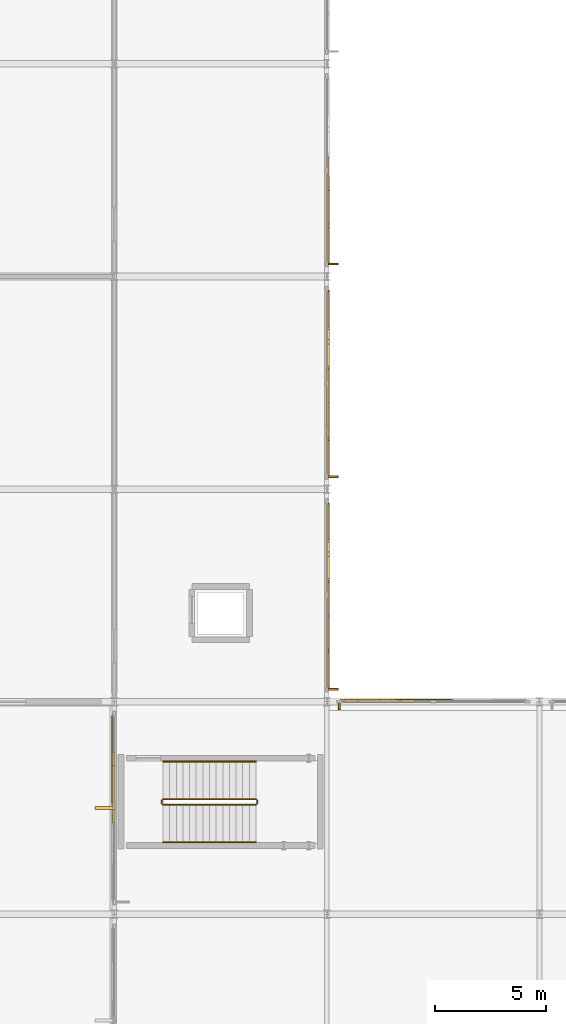
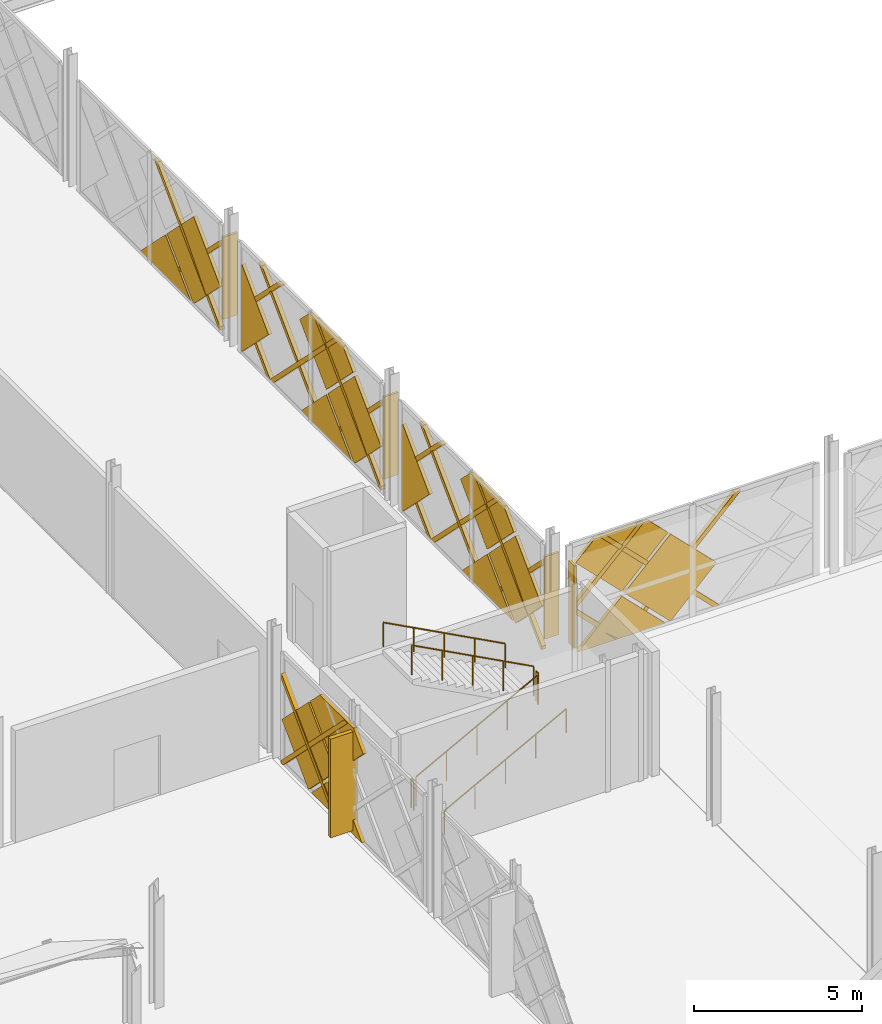
# One storey, part 57 of 77: 37 coverings, 6 railings, 4 shading devices.
"""IFC4 building model written with IfcOpenShell, lengths in metres."""

from ifc_helpers import new_model, si_unit, direction, frame, origin, origin_2d, place, context, subcontext, project, spatial, polyline, rectangle, circle, outline, extrude, material, layer, layer_set, type_object, element, save


model = new_model("IFC4")

# Units and contexts
model_context = context("Model", 3, precision=1e-05, world=origin(), true_north=direction((0.0, 1.0)))
body_context = subcontext(model_context, "Body", "Model", "MODEL_VIEW")
ifc_project = project(units=[si_unit("LENGTHUNIT", "METRE"), si_unit("AREAUNIT", "SQUARE_METRE"), si_unit("VOLUMEUNIT", "CUBIC_METRE"), si_unit("PLANEANGLEUNIT", "RADIAN"), si_unit("MASSUNIT", "GRAM", prefix="KILO")], contexts=[model_context])

# Site, building, storey
site_placement = place(None, origin())
site = spatial("IfcSite", under=ifc_project, at=site_placement, CompositionType="ELEMENT")
building_placement = place(site_placement, origin())
building = spatial("IfcBuilding", under=site, at=building_placement, Name="Zevrakil Square Congress Hotel", CompositionType="ELEMENT")
storey_placement = place(building_placement, frame((0.0, 0.0, 9.89990234375)))
storey = spatial("IfcBuildingStorey", under=building, at=storey_placement, Name="L03", CompositionType="ELEMENT", Elevation=9.89990234375)

# Coverings
ifc_material_1 = material(Name="Architectural White Fibre-C GRC", Category="concrete")
ifc_layer_1 = layer(ifc_material_1, 0.06494140625)
ifc_layer_set_1 = layer_set([ifc_layer_1], Name="Architectural White Fibre-C GRC")
covering_type_1 = type_object("IfcCoveringType", Name="COV-DIA-WHITE", PredefinedType="CLADDING", material=ifc_layer_set_1)
covering_1_placement = place(storey_placement, frame((55.10595703125, 41.719970703125, 1.590087890625), z_axis=(-0.999999790873, 0.0, 0.000646725815), x_axis=(-0.000457304257, -0.707106707249, -0.707106707249)))
element("IfcCovering", 1, at=covering_1_placement, inside=storey, type_object=covering_type_1, Name="L03 45-degree white GRC diamond facade cassette 579", PredefinedType="CLADDING", context=body_context, shape_type="SweptSolid", body=[
    extrude(outline(polyline([(0.0, 0.0), (2.1354765131557993, 0.0), (4.465861884739297e-07, -2.1354765131557527), (0.0, 0.0)])), origin(), (0.0, 0.0, -1.0), 0.1201171875),
])
covering_2_placement = place(storey_placement, frame((55.10693359375, 43.39990234375, 3.27001953125), z_axis=(-0.999999812555, 0.0, 0.000612281941), x_axis=(-0.000432948753, -0.707106714489, -0.707106715341)))
element("IfcCovering", 2, at=covering_2_placement, inside=storey, type_object=covering_type_1, Name="L03 45-degree white GRC diamond facade cassette 580", PredefinedType="CLADDING", context=body_context, shape_type="SweptSolid", body=[
    extrude(outline(polyline([(0.0, 0.0), (2.2483788053823686, 2.220446049250313e-16), (2.2485518630143098, -2.2485514388251864), (0.013983735657622232, -2.2485514362281265), (-0.00017220932723183147, -2.23439549391379), (0.0, 0.0)])), origin(), (0.0, 0.0, -1.0), 0.1201171875),
])
covering_3_placement = place(storey_placement, frame((55.10693359375, 40.1298828125, 3.360107421875), z_axis=(-0.99999981942, 0.0, 0.000600965157), x_axis=(-0.000424946558, 0.707106747162, -0.707106687522)))
element("IfcCovering", 3, at=covering_3_placement, inside=storey, type_object=covering_type_1, Name="L03 45-degree white GRC diamond facade cassette 582", PredefinedType="CLADDING", context=body_context, shape_type="SweptSolid", body=[
    extrude(outline(polyline([(0.0, 0.0), (2.2487239684904425, -2.220446049250313e-16), (2.2487237520837646, -2.2487239684904328), (1.4214639280124546, -2.248724061484949), (0.00017246087706124236, -0.8274324575711047), (0.0, 0.0)])), origin(), (0.0, 0.0, -1.0), 0.1201171875),
])
covering_4_placement = place(storey_placement, frame((67.159912109375, 45.694091796875, 1.590087890625), z_axis=(0.0, 0.999999790873, 0.000646725815), x_axis=(-0.707106707249, 0.000457304257, -0.707106707249)))
element("IfcCovering", 4, at=covering_4_placement, inside=storey, type_object=covering_type_1, Name="L03 45-degree white GRC diamond facade cassette 1524", PredefinedType="CLADDING", context=body_context, shape_type="SweptSolid", body=[
    extrude(outline(polyline([(0.0, 0.0), (2.1354765131557993, 0.0), (4.465861884739297e-07, -2.1354765131557527), (0.0, 0.0)])), origin(), (0.0, 0.0, -1.0), 0.1201171875),
])
covering_5_placement = place(storey_placement, frame((68.840087890625, 45.693115234375, 3.27001953125), z_axis=(0.0, 0.999999855586, 0.000537427945), x_axis=(-0.707161001881, 0.000379989803, -0.707052454226)))
element("IfcCovering", 5, at=covering_5_placement, inside=storey, type_object=covering_type_1, Name="L03 45-degree white GRC diamond facade cassette 1525", PredefinedType="CLADDING", context=body_context, shape_type="SweptSolid", body=[
    extrude(outline(polyline([(0.0, 0.0), (2.2485514421697053, 2.220446049250313e-16), (2.2483791201710894, -2.248723969644624), (-0.00017220272677631598, -2.248378795472748), (0.0, 0.0)])), origin(), (0.0, 0.0, -1.0), 0.1201171875),
])
covering_6_placement = place(storey_placement, frame((65.570068359375, 45.693115234375, 3.360107421875), z_axis=(0.0, 0.999999833525, 0.000577018806), x_axis=(0.70705245556, 0.000408045255, -0.707160984914)))
element("IfcCovering", 6, at=covering_6_placement, inside=storey, type_object=covering_type_1, Name="L03 45-degree white GRC diamond facade cassette 1527", PredefinedType="CLADDING", context=body_context, shape_type="SweptSolid", body=[
    extrude(outline(polyline([(0.0, 0.0), (2.2485513450909322, -2.220446049250313e-16), (2.2483784750178573, -2.2487239653021844), (1.3361829853145168, -2.248654009101226), (-7.020279398489704e-05, -0.9121954896843962), (0.0, 0.0)])), origin(), (0.0, 0.0, -1.0), 0.1201171875),
])
covering_7_placement = place(storey_placement, frame((64.89404296875, 49.47998046875, 1.590087890625), z_axis=(0.999999790873, 0.0, 0.000646725815), x_axis=(0.000457304257, 0.707106707249, -0.707106707249)))
element("IfcCovering", 7, at=covering_7_placement, inside=storey, type_object=covering_type_1, Name="L03 45-degree white GRC diamond facade cassette 1725", PredefinedType="CLADDING", context=body_context, shape_type="SweptSolid", body=[
    extrude(outline(polyline([(0.0, 0.0), (2.1354765131557993, 0.0), (4.465861884739297e-07, -2.1354765131557527), (0.0, 0.0)])), origin(), (0.0, 0.0, -1.0), 0.1201171875),
])
covering_8_placement = place(storey_placement, frame((64.89306640625, 47.800048828125, 3.27001953125), z_axis=(0.999999812555, 0.0, 0.000612281941), x_axis=(0.000432948753, 0.707106714489, -0.707106715341)))
element("IfcCovering", 8, at=covering_8_placement, inside=storey, type_object=covering_type_1, Name="L03 45-degree white GRC diamond facade cassette 1726", PredefinedType="CLADDING", context=body_context, shape_type="SweptSolid", body=[
    extrude(outline(polyline([(0.0, 0.0), (2.2483788053823686, 2.220446049250313e-16), (2.2485518630143098, -2.2485514388251864), (0.013983735657622232, -2.2485514362281265), (-0.00017220932723183147, -2.23439549391379), (0.0, 0.0)])), origin(), (0.0, 0.0, -1.0), 0.1201171875),
])
covering_9_placement = place(storey_placement, frame((64.89501953125, 54.52001953125, 0.090087890625), z_axis=(0.999999810877, -4.3898e-08, 0.000615017515), x_axis=(-0.000434914137, -0.707106714509, 0.707106714115)))
element("IfcCovering", 9, at=covering_9_placement, inside=storey, type_object=covering_type_1, Name="L03 45-degree white GRC diamond facade cassette 1727", PredefinedType="CLADDING", context=body_context, shape_type="SweptSolid", body=[
    extrude(outline(polyline([(0.0, 0.0), (2.2487240723345248, 0.0), (2.2485518629543146, -2.248551438891992), (2.16378882664394, -2.2487240883742428), (-2.3641429092169375e-11, -0.08493566978779551), (0.0, 0.0)])), origin(), (0.0, 0.0, -1.0), 0.1201171875),
])
covering_10_placement = place(storey_placement, frame((64.89306640625, 51.070068359375, 3.360107421875), z_axis=(0.99999981942, 0.0, 0.000600965157), x_axis=(0.000424946558, -0.707106747162, -0.707106687522)))
element("IfcCovering", 10, at=covering_10_placement, inside=storey, type_object=covering_type_1, Name="L03 45-degree white GRC diamond facade cassette 1728", PredefinedType="CLADDING", context=body_context, shape_type="SweptSolid", body=[
    extrude(outline(polyline([(0.0, 0.0), (2.2487239684904425, -2.220446049250313e-16), (2.2487237520837646, -2.2487239684904328), (1.4212912945292608, -2.2485514279851415), (-1.726061326645656e-07, -0.8272598240712974), (0.0, 0.0)])), origin(), (0.0, 0.0, -1.0), 0.1201171875),
])
covering_11_placement = place(storey_placement, frame((64.89404296875, 59.080078125, 1.590087890625), z_axis=(0.999999790873, 0.0, 0.000646725815), x_axis=(0.000457304257, 0.707106707249, -0.707106707249)))
element("IfcCovering", 11, at=covering_11_placement, inside=storey, type_object=covering_type_1, Name="L03 45-degree white GRC diamond facade cassette 1793", PredefinedType="CLADDING", context=body_context, shape_type="SweptSolid", body=[
    extrude(outline(polyline([(0.0, 0.0), (2.1354765131557993, 0.0), (4.465861884739297e-07, -2.1354765131557527), (0.0, 0.0)])), origin(), (0.0, 0.0, -1.0), 0.1201171875),
])
covering_12_placement = place(storey_placement, frame((64.89306640625, 57.39990234375, 3.27001953125), z_axis=(0.999999812555, 0.0, 0.000612282237), x_axis=(0.000432915721, 0.707161000838, -0.707052424844)))
element("IfcCovering", 12, at=covering_12_placement, inside=storey, type_object=covering_type_1, Name="L03 45-degree white GRC diamond facade cassette 1794", PredefinedType="CLADDING", context=body_context, shape_type="SweptSolid", body=[
    extrude(outline(polyline([(0.0, 0.0), (2.2485514454845923, 0.0), (2.248379222880032, -2.2487240657380214), (0.013983748838055643, -2.248379882955194), (-0.0001711092764935529, -2.234222853853795), (0.0, 0.0)])), origin(), (0.0, 0.0, -1.0), 0.1201171875),
])
covering_13_placement = place(storey_placement, frame((64.89501953125, 64.1201171875, 0.090087890625), z_axis=(0.999999810879, -4.3911e-08, 0.000615014432), x_axis=(-0.000434911966, -0.707106714509, 0.707106714116)))
element("IfcCovering", 13, at=covering_13_placement, inside=storey, type_object=covering_type_1, Name="L03 45-degree white GRC diamond facade cassette 1795", PredefinedType="CLADDING", context=body_context, shape_type="SweptSolid", body=[
    extrude(outline(polyline([(0.0, 0.0), (2.2487240723345274, -2.220446049250313e-16), (2.248551862954323, -2.2485514388919943), (2.1639614601190895, -2.2485514548663854), (0.00017263345166069338, -0.0847630362800969), (0.0, 0.0)])), origin(), (0.0, 0.0, -1.0), 0.1201171875),
])
covering_14_placement = place(storey_placement, frame((64.89306640625, 60.669921875, 3.360107421875), z_axis=(0.999999819419, 0.0, 0.000600967764), x_axis=(0.000424981026, -0.707052456647, -0.707160973852)))
element("IfcCovering", 14, at=covering_14_placement, inside=storey, type_object=covering_type_1, Name="L03 45-degree white GRC diamond facade cassette 1796", PredefinedType="CLADDING", context=body_context, shape_type="SweptSolid", body=[
    extrude(outline(polyline([(0.0, 0.0), (2.2485513416338434, -2.220446049250313e-16), (2.24837847847468, -2.2487239618458923), (1.4211186568341059, -2.2486605416107444), (-6.368583630028679e-05, -0.8272598216201698), (0.0, 0.0)])), origin(), (0.0, 0.0, -1.0), 0.1201171875),
])
covering_15_placement = place(storey_placement, frame((64.89404296875, 68.679931640625, 1.590087890625), z_axis=(0.999999790873, 0.0, 0.000646725815), x_axis=(0.000457304257, 0.707106707249, -0.707106707249)))
element("IfcCovering", 15, at=covering_15_placement, inside=storey, type_object=covering_type_1, Name="L03 45-degree white GRC diamond facade cassette 1861", PredefinedType="CLADDING", context=body_context, shape_type="SweptSolid", body=[
    extrude(outline(polyline([(0.0, 0.0), (2.1354765131557993, 0.0), (4.465861884739297e-07, -2.1354765131557527), (0.0, 0.0)])), origin(), (0.0, 0.0, -1.0), 0.1201171875),
])
covering_16_placement = place(storey_placement, frame((64.89306640625, 67.0, 3.27001953125), z_axis=(0.999999812555, 0.0, 0.000612282088), x_axis=(0.000432915616, 0.707161000838, -0.707052424844)))
element("IfcCovering", 16, at=covering_16_placement, inside=storey, type_object=covering_type_1, Name="L03 45-degree white GRC diamond facade cassette 1862", PredefinedType="CLADDING", context=body_context, shape_type="SweptSolid", body=[
    extrude(outline(polyline([(0.0, 0.0), (2.248551445484592, 0.0), (2.2483792228800303, -2.2487240657380205), (0.013811102109335449, -2.2485525032084603), (-0.000343756005215079, -2.2343954741070595), (0.0, 0.0)])), origin(), (0.0, 0.0, -1.0), 0.1201171875),
])
ifc_material_2 = material(Name="Anodised Champagne Aluminium", Category="aluminium")
ifc_layer_2 = layer(ifc_material_2, 0.0849609375)
ifc_layer_set_2 = layer_set([ifc_layer_2], Name="Anodised Champagne Aluminium")
covering_type_2 = type_object("IfcCoveringType", Name="COV-DIAGRID-45", PredefinedType="MOLDING", material=ifc_layer_set_2)
covering_17_placement = place(storey_placement, frame((55.080078125, 44.893798828125, 0.080078125), z_axis=(-0.999999881537, -0.000189525479, 0.0004483359), x_axis=(-0.00018952546, 0.99999998204, 8.4971e-08)))
element("IfcCovering", 17, at=covering_17_placement, inside=storey, type_object=covering_type_2, Name="L03 45-degree aluminium diagrid rib 583", PredefinedType="MOLDING", context=body_context, shape_type="SweptSolid", body=[
    extrude(outline(polyline([(0.0, 0.0), (0.08618163907718172, -1.1406045165281983e-24), (0.08618164980229089, -0.12622069043949768), (-3.6525879593209467, -3.864990940503721), (-3.8649902992562106, -3.864990940503721), (0.0, 0.0)])), origin(), (0.0, 0.0, -1.0), 0.14501953125),
])
covering_18_placement = place(storey_placement, frame((55.081787109375, 44.97998046875, 3.154052734375), z_axis=(-0.99999958606, -0.000287477056, 0.000863270454), x_axis=(0.000863270513, -8.2643e-08, 0.999999627382)))
element("IfcCovering", 18, at=covering_18_placement, inside=storey, type_object=covering_type_2, Name="L03 45-degree aluminium diagrid rib 586", PredefinedType="MOLDING", context=body_context, shape_type="SweptSolid", body=[
    extrude(outline(polyline([(0.0, 0.0), (0.21215833483042407, 1.3234889800848443e-23), (-3.0739746676964605, -3.286133202330571), (-3.073974685229852, -3.0739750079722734), (0.0, 0.0)])), origin(), (0.0, 0.0, -1.0), 0.14501953125),
])
covering_19_placement = place(storey_placement, frame((70.333984375, 45.719970703125, 0.080078125), z_axis=(0.0, 0.999999806554, 0.000622006473), x_axis=(1.0, 0.0, 0.0)))
element("IfcCovering", 19, at=covering_19_placement, inside=storey, type_object=covering_type_2, Name="L03 45-degree aluminium diagrid rib 1529", PredefinedType="MOLDING", context=body_context, shape_type="SweptSolid", body=[
    extrude(outline(polyline([(0.0, 0.0), (0.212158203125, 0.0), (-3.712890625, -3.9250495874103186), (-3.925048828125, -3.9250495874103186), (0.0, 0.0)])), origin(), (0.0, 0.0, -1.0), 0.14501953125),
])
covering_20_placement = place(storey_placement, frame((66.973876953125, 45.719970703125, 0.080078125), z_axis=(-0.000294139249, 0.999999913482, 0.000294139249), x_axis=(0.999999956741, 0.000294139237, 8.6518e-08)))
element("IfcCovering", 20, at=covering_20_placement, inside=storey, type_object=covering_type_2, Name="L03 45-degree aluminium diagrid rib 1530", PredefinedType="MOLDING", context=body_context, shape_type="SweptSolid", body=[
    extrude(outline(polyline([(0.0, 0.0), (0.2121581939472589, 0.0), (-1.553955145347468, -1.7661134920951609), (-1.5539551637029505, -1.5539552981479028), (0.0, 0.0)])), origin(), (0.0, 0.0, -1.0), 0.14501953125),
])
covering_21_placement = place(storey_placement, frame((71.27099609375, 45.717529296875, 4.005126953125), z_axis=(0.0, 0.999999806554, 0.000622006473), x_axis=(-1.0, 0.0, 0.0)))
element("IfcCovering", 21, at=covering_21_placement, inside=storey, type_object=covering_type_2, Name="L03 45-degree aluminium diagrid rib 1532", PredefinedType="MOLDING", context=body_context, shape_type="SweptSolid", body=[
    extrude(outline(polyline([(0.0, 0.0), (0.212158203125, 0.0), (4.13720703125, -3.9250495874103186), (3.9248046875, -3.9250495874103186), (0.0, 0.0)])), origin(), (0.0, 0.0, -1.0), 0.14501953125),
])
covering_22_placement = place(storey_placement, frame((67.9111328125, 45.717529296875, 4.005126953125), z_axis=(0.000307262564, 0.999999905698, 0.000306909389), x_axis=(-0.999999952795, 0.000307262549, 9.4302e-08)))
element("IfcCovering", 22, at=covering_22_placement, inside=storey, type_object=covering_type_2, Name="L03 45-degree aluminium diagrid rib 1533", PredefinedType="MOLDING", context=body_context, shape_type="SweptSolid", body=[
    extrude(outline(polyline([(0.0, 0.0), (0.21215819311004175, -2.8078904387053947e-24), (2.4912110550979736, -2.2788089359999746), (2.4912110350680567, -2.4912112697465267), (0.0, 0.0)])), origin(), (0.0, 0.0, -1.0), 0.14501953125),
])
covering_23_placement = place(storey_placement, frame((64.919921875, 46.30615234375, 0.080078125), z_axis=(0.999999881569, 0.000189631936, 0.000448220941), x_axis=(0.000189631917, -0.99999998202, 8.4997e-08)))
element("IfcCovering", 23, at=covering_23_placement, inside=storey, type_object=covering_type_2, Name="L03 45-degree aluminium diagrid rib 1729", PredefinedType="MOLDING", context=body_context, shape_type="SweptSolid", body=[
    extrude(outline(polyline([(0.0, 0.0), (0.08618163907544239, 0.0), (0.08618164980382431, -0.12622069044600231), (-3.6528321000275326, -3.8649909404222353), (-3.864990299337899, -3.8649909404222353), (0.0, 0.0)])), origin(), (0.0, 0.0, -1.0), 0.14501953125),
])
covering_24_placement = place(storey_placement, frame((64.919921875, 49.666015625, 0.080078125), z_axis=(0.999999800495, 0.0, 0.00063167191), x_axis=(0.0, -1.0, 0.0)))
element("IfcCovering", 24, at=covering_24_placement, inside=storey, type_object=covering_type_2, Name="L03 45-degree aluminium diagrid rib 1730", PredefinedType="MOLDING", context=body_context, shape_type="SweptSolid", body=[
    extrude(outline(polyline([(0.0, 0.0), (0.212158203125, 0.0), (-3.65283203125, -3.8649910054589514), (-3.864990234375, -3.8649910054589514), (0.0, 0.0)])), origin(), (0.0, 0.0, -1.0), 0.14501953125),
])
covering_25_placement = place(storey_placement, frame((64.919921875, 53.026123046875, 0.080078125), z_axis=(0.999999913482, 0.000294139249, 0.000294139249), x_axis=(0.000294139237, -0.999999956741, 8.6518e-08)))
element("IfcCovering", 25, at=covering_25_placement, inside=storey, type_object=covering_type_2, Name="L03 45-degree aluminium diagrid rib 1731", PredefinedType="MOLDING", context=body_context, shape_type="SweptSolid", body=[
    extrude(outline(polyline([(0.0, 0.0), (0.2121581939472589, 0.0), (-1.553955145347468, -1.7661134920951609), (-1.5539551637029505, -1.5539552981479028), (0.0, 0.0)])), origin(), (0.0, 0.0, -1.0), 0.14501953125),
])
covering_26_placement = place(storey_placement, frame((64.918212890625, 46.219970703125, 3.154052734375), z_axis=(0.99999958606, 0.000287477056, 0.000863270454), x_axis=(-0.000863270513, 8.2643e-08, 0.999999627382)))
element("IfcCovering", 26, at=covering_26_placement, inside=storey, type_object=covering_type_2, Name="L03 45-degree aluminium diagrid rib 1732", PredefinedType="MOLDING", context=body_context, shape_type="SweptSolid", body=[
    extrude(outline(polyline([(0.0, 0.0), (0.21215833483042407, 1.3234889800848443e-23), (-3.0739746676964605, -3.286133202330571), (-3.073974685229852, -3.0739750079722734), (0.0, 0.0)])), origin(), (0.0, 0.0, -1.0), 0.14501953125),
])
covering_27_placement = place(storey_placement, frame((64.91748046875, 48.788818359375, 3.945068359375), z_axis=(0.999999800495, 0.0, 0.00063167191), x_axis=(0.0, 1.0, 0.0)))
element("IfcCovering", 27, at=covering_27_placement, inside=storey, type_object=covering_type_2, Name="L03 45-degree aluminium diagrid rib 1733", PredefinedType="MOLDING", context=body_context, shape_type="SweptSolid", body=[
    extrude(outline(polyline([(0.0, 0.0), (0.21240234375, 0.0), (4.077392578125, -3.864991005458952), (3.864990234375, -3.864991005458952), (0.0, 0.0)])), origin(), (0.0, 0.0, -1.0), 0.14501953125),
])
covering_28_placement = place(storey_placement, frame((64.91748046875, 52.14892578125, 3.945068359375), z_axis=(0.999999553076, 0.00023356163, 0.000916131605), x_axis=(-0.000233561532, 0.999999972724, -2.13973e-07)))
element("IfcCovering", 28, at=covering_28_placement, inside=storey, type_object=covering_type_2, Name="L03 45-degree aluminium diagrid rib 1734", PredefinedType="MOLDING", context=body_context, shape_type="SweptSolid", body=[
    extrude(outline(polyline([(0.0, 0.0), (0.21215819733827515, 0.0), (2.4311524100609416, -2.2187504108942058), (2.431152398487491, -2.4311528891747933), (0.0, 0.0)])), origin(), (0.0, 0.0, -1.0), 0.14501953125),
])
covering_29_placement = place(storey_placement, frame((64.919921875, 55.906005859375, 0.080078125), z_axis=(0.999999881591, 0.000189745714, 0.000448122857), x_axis=(0.000189745695, -0.999999981998, 8.5029e-08)))
element("IfcCovering", 29, at=covering_29_placement, inside=storey, type_object=covering_type_2, Name="L03 45-degree aluminium diagrid rib 1797", PredefinedType="MOLDING", context=body_context, shape_type="SweptSolid", body=[
    extrude(outline(polyline([(0.0, 0.0), (0.08593749845297734, 0.0), (0.08593750918544711, -0.12622069045155077), (-3.6528321001012993, -3.864990940352672), (-3.8649902994070873, -3.864990940352672), (0.0, 0.0)])), origin(), (0.0, 0.0, -1.0), 0.14501953125),
])
covering_30_placement = place(storey_placement, frame((64.919921875, 59.26611328125, 0.080078125), z_axis=(0.999999800495, 0.0, 0.00063167191), x_axis=(0.0, -1.0, 0.0)))
element("IfcCovering", 30, at=covering_30_placement, inside=storey, type_object=covering_type_2, Name="L03 45-degree aluminium diagrid rib 1798", PredefinedType="MOLDING", context=body_context, shape_type="SweptSolid", body=[
    extrude(outline(polyline([(0.0, 0.0), (0.212158203125, 0.0), (-3.65283203125, -3.8649910054589514), (-3.864990234375, -3.8649910054589514), (0.0, 0.0)])), origin(), (0.0, 0.0, -1.0), 0.14501953125),
])
covering_31_placement = place(storey_placement, frame((64.919921875, 62.626220703125, 0.080078125), z_axis=(0.999999913476, 0.000293980909, 0.000294319207), x_axis=(0.000293980897, -0.999999956788, 8.6524e-08)))
element("IfcCovering", 31, at=covering_31_placement, inside=storey, type_object=covering_type_2, Name="L03 45-degree aluminium diagrid rib 1799", PredefinedType="MOLDING", context=body_context, shape_type="SweptSolid", body=[
    extrude(outline(polyline([(0.0, 0.0), (0.21240233457158741, 0.0), (-1.5537110046395635, -1.7661134921773871), (-1.553711022996389, -1.5539552982413625), (0.0, 0.0)])), origin(), (0.0, 0.0, -1.0), 0.14501953125),
])
covering_32_placement = place(storey_placement, frame((64.918212890625, 55.820068359375, 3.154052734375), z_axis=(0.999999586254, 0.000287317256, 0.000863099624), x_axis=(-0.000863099684, 8.2646e-08, 0.999999627529)))
element("IfcCovering", 32, at=covering_32_placement, inside=storey, type_object=covering_type_2, Name="L03 45-degree aluminium diagrid rib 1800", PredefinedType="MOLDING", context=body_context, shape_type="SweptSolid", body=[
    extrude(outline(polyline([(0.0, 0.0), (0.212158334820002, 0.0), (-3.0739746678474664, -3.286133202189314), (-3.0739746854017027, -3.07373086720635), (0.0, 0.0)])), origin(), (0.0, 0.0, -1.0), 0.14501953125),
])
covering_33_placement = place(storey_placement, frame((64.91748046875, 58.388916015625, 3.945068359375), z_axis=(0.999999800495, 0.0, 0.00063167191), x_axis=(0.0, 1.0, 0.0)))
element("IfcCovering", 33, at=covering_33_placement, inside=storey, type_object=covering_type_2, Name="L03 45-degree aluminium diagrid rib 1801", PredefinedType="MOLDING", context=body_context, shape_type="SweptSolid", body=[
    extrude(outline(polyline([(0.0, 0.0), (0.212158203125, 0.0), (4.0771484375, -3.8649910054589514), (3.864990234375, -3.8649910054589514), (0.0, 0.0)])), origin(), (0.0, 0.0, -1.0), 0.14501953125),
])
covering_34_placement = place(storey_placement, frame((64.91748046875, 61.748779296875, 3.945068359375), z_axis=(0.999999553234, 0.000233433531, 0.000915991243), x_axis=(-0.000233433433, 0.999999972754, -2.13823e-07)))
element("IfcCovering", 34, at=covering_34_placement, inside=storey, type_object=covering_type_2, Name="L03 45-degree aluminium diagrid rib 1802", PredefinedType="MOLDING", context=body_context, shape_type="SweptSolid", body=[
    extrude(outline(polyline([(0.0, 0.0), (0.2124023379629692, 0.0), (2.431152409988223, -2.218750410973885), (2.4311523984141608, -2.4311528892475156), (0.0, 0.0)])), origin(), (0.0, 0.0, -1.0), 0.14501953125),
])
covering_35_placement = place(storey_placement, frame((64.919921875, 65.506103515625, 0.080078125), z_axis=(0.999999881569, 0.000189631936, 0.000448220941), x_axis=(0.000189631917, -0.99999998202, 8.4997e-08)))
element("IfcCovering", 35, at=covering_35_placement, inside=storey, type_object=covering_type_2, Name="L03 45-degree aluminium diagrid rib 1865", PredefinedType="MOLDING", context=body_context, shape_type="SweptSolid", body=[
    extrude(outline(polyline([(0.0, 0.0), (0.08618163907544239, 0.0), (0.08618164980382431, -0.12622069044600231), (-3.6528321000275326, -3.8649909404222353), (-3.864990299337899, -3.8649909404222353), (0.0, 0.0)])), origin(), (0.0, 0.0, -1.0), 0.14501953125),
])
covering_36_placement = place(storey_placement, frame((64.918212890625, 65.419921875, 3.154052734375), z_axis=(0.99999958606, 0.000287477056, 0.000863270454), x_axis=(-0.000863270513, 8.2643e-08, 0.999999627382)))
element("IfcCovering", 36, at=covering_36_placement, inside=storey, type_object=covering_type_2, Name="L03 45-degree aluminium diagrid rib 1868", PredefinedType="MOLDING", context=body_context, shape_type="SweptSolid", body=[
    extrude(outline(polyline([(0.0, 0.0), (0.21215833483042407, 1.3234889800848443e-23), (-3.0739746676964605, -3.286133202330571), (-3.073974685229852, -3.0739750079722734), (0.0, 0.0)])), origin(), (0.0, 0.0, -1.0), 0.14501953125),
])
ifc_material_3 = material(Name="Architectural White Fibre-C GRC", Category="concrete")
ifc_layer_3 = layer(ifc_material_3, 0.139892578125)
ifc_layer_set_3 = layer_set([ifc_layer_3], Name="Architectural White Fibre-C GRC")
covering_type_3 = type_object("IfcCoveringType", Name="COV-FIN-GRC90", PredefinedType="MOLDING", material=ifc_layer_set_3)
covering_37_placement = place(storey_placement, frame((54.780029296875, 40.800048828125, 0.212646484375), z_axis=(0.0, 0.0, 1.0), x_axis=(-1.0, 0.0, 0.0)))
element("IfcCovering", 37, at=covering_37_placement, inside=storey, type_object=covering_type_3, Name="L03 highland sun-breaker GRC fin 589", PredefinedType="MOLDING", context=body_context, shape_type="SweptSolid", body=[
    extrude(rectangle(XDim=0.89990234375, YDim=0.139892578125, at=origin_2d()), origin(), (0.0, 0.0, 1.0), 3.60009765625),
])

# Railings
ifc_material_4 = material(Name="Steel S355", Category="steel")
railing_type_1 = type_object("IfcRailingType", Name="RLG-STAIR-GUARD-1100", PredefinedType="BALUSTRADE", material=ifc_material_4)
railing_1_placement = place(storey_placement, frame((57.39990234375, 40.949951171875, 0.16015625)))
element("IfcRailing", 38, at=railing_1_placement, inside=storey, type_object=railing_type_1, Name="L03 ST04 stair guard 1", PredefinedType="BALUSTRADE", context=body_context, shape_type="SweptSolid", body=[
    extrude(circle(Radius=0.02392578125, at=origin_2d()), frame((0.0, 0.0, 1.076171875), z_axis=(0.882362879185, 0.0, 0.470569601054), x_axis=(0.0, 1.0, 0.0)), (0.0, 0.0, 1.0), 4.76025390625),
    extrude(circle(Radius=0.02099609375, at=origin_2d()), origin(), (0.0, 0.0, 1.0), 1.052001953125),
    extrude(circle(Radius=0.02099609375, at=origin_2d()), frame((1.050048828125, 0.0, 0.56005859375)), (0.0, 0.0, 1.0), 1.052001953125),
    extrude(circle(Radius=0.02099609375, at=origin_2d()), frame((2.10009765625, 0.0, 1.1201171875)), (0.0, 0.0, 1.0), 1.052001953125),
    extrude(circle(Radius=0.02099609375, at=origin_2d()), frame((3.150146484375, 0.0, 1.679931640625)), (0.0, 0.0, 1.0), 1.052001953125),
    extrude(circle(Radius=0.02099609375, at=origin_2d()), frame((4.2001953125, 0.0, 2.239990234375)), (0.0, 0.0, 1.0), 1.052001953125),
])
railing_2_placement = place(storey_placement, frame((61.64990234375, 41.0, 2.400146484375)))
element("IfcRailing", 39, at=railing_2_placement, inside=storey, type_object=railing_type_1, Name="L03 ST04 stair guard 2", PredefinedType="BALUSTRADE", context=body_context, shape_type="SweptSolid", body=[
    extrude(circle(Radius=0.02392578125, at=origin_2d()), frame((0.0, 0.0, 1.076171875), z_axis=(0.0, 1.0, 0.0), x_axis=(-1.0, 0.0, 0.0)), (0.0, 0.0, 1.0), 0.14990234375),
    extrude(circle(Radius=0.02099609375, at=origin_2d()), origin(), (0.0, 0.0, 1.0), 1.052001953125),
    extrude(circle(Radius=0.02099609375, at=origin_2d()), frame((0.0, 0.14990234375, 0.0)), (0.0, 0.0, 1.0), 1.052001953125),
])
railing_3_placement = place(storey_placement, frame((61.60009765625, 41.199951171875, 2.56005859375)))
element("IfcRailing", 40, at=railing_3_placement, inside=storey, type_object=railing_type_1, Name="L03 ST04 stair guard 3", PredefinedType="BALUSTRADE", context=body_context, shape_type="SweptSolid", body=[
    extrude(circle(Radius=0.02392578125, at=origin_2d()), frame((0.0, 0.0, 1.076171875), z_axis=(-0.882362879185, 0.0, 0.470569601054), x_axis=(0.0, -1.0, 0.0)), (0.0, 0.0, 1.0), 4.76025390625),
    extrude(circle(Radius=0.02099609375, at=origin_2d()), origin(), (0.0, 0.0, 1.0), 1.052001953125),
    extrude(circle(Radius=0.02099609375, at=origin_2d()), frame((-1.050048828125, 0.0, 0.56005859375)), (0.0, 0.0, 1.0), 1.052001953125),
    extrude(circle(Radius=0.02099609375, at=origin_2d()), frame((-2.10009765625, 0.0, 1.1201171875)), (0.0, 0.0, 1.0), 1.052001953125),
    extrude(circle(Radius=0.02099609375, at=origin_2d()), frame((-3.150146484375, 0.0, 1.679931640625)), (0.0, 0.0, 1.0), 1.052001953125),
    extrude(circle(Radius=0.02099609375, at=origin_2d()), frame((-4.2001953125, 0.0, 2.239990234375)), (0.0, 0.0, 1.0), 1.052001953125),
])
railing_4_placement = place(storey_placement, frame((57.35009765625, 41.0, 0.0)))
element("IfcRailing", 41, at=railing_4_placement, inside=storey, type_object=railing_type_1, Name="L03 ST04 stair guard 4", PredefinedType="BALUSTRADE", context=body_context, shape_type="SweptSolid", body=[
    extrude(circle(Radius=0.02392578125, at=origin_2d()), frame((0.0, 0.0, 1.076171875), z_axis=(0.0, 1.0, 0.0), x_axis=(-1.0, 0.0, 0.0)), (0.0, 0.0, 1.0), 0.14990234375),
    extrude(circle(Radius=0.02099609375, at=origin_2d()), origin(), (0.0, 0.0, 1.0), 1.052001953125),
    extrude(circle(Radius=0.02099609375, at=origin_2d()), frame((0.0, 0.14990234375, 0.0)), (0.0, 0.0, 1.0), 1.052001953125),
])
ifc_material_5 = material(Name="Steel S355", Category="steel")
railing_type_2 = type_object("IfcRailingType", Name="RLG-STAIR-HAND-900", PredefinedType="HANDRAIL", material=ifc_material_5)
railing_5_placement = place(storey_placement, frame((57.39990234375, 39.25, 0.16015625)))
element("IfcRailing", 42, at=railing_5_placement, inside=storey, type_object=railing_type_2, Name="L03 ST04 stair handrail 1", PredefinedType="HANDRAIL", context=body_context, shape_type="SweptSolid", body=[
    extrude(circle(Radius=0.02392578125, at=origin_2d()), frame((0.0, 0.0, 0.8759765625), z_axis=(0.882362879185, 0.0, 0.470569601054), x_axis=(0.0, 1.0, 0.0)), (0.0, 0.0, 1.0), 4.76025390625),
    extrude(circle(Radius=0.02099609375, at=origin_2d()), origin(), (0.0, 0.0, 1.0), 0.851806640625),
    extrude(circle(Radius=0.02099609375, at=origin_2d()), frame((1.050048828125, 0.0, 0.56005859375)), (0.0, 0.0, 1.0), 0.851806640625),
    extrude(circle(Radius=0.02099609375, at=origin_2d()), frame((2.10009765625, 0.0, 1.1201171875)), (0.0, 0.0, 1.0), 0.851806640625),
    extrude(circle(Radius=0.02099609375, at=origin_2d()), frame((3.150146484375, 0.0, 1.679931640625)), (0.0, 0.0, 1.0), 0.851806640625),
    extrude(circle(Radius=0.02099609375, at=origin_2d()), frame((4.2001953125, 0.0, 2.239990234375)), (0.0, 0.0, 1.0), 0.851806640625),
])
railing_6_placement = place(storey_placement, frame((61.60009765625, 42.89990234375, 2.56005859375)))
element("IfcRailing", 43, at=railing_6_placement, inside=storey, type_object=railing_type_2, Name="L03 ST04 stair handrail 2", PredefinedType="HANDRAIL", context=body_context, shape_type="SweptSolid", body=[
    extrude(circle(Radius=0.02392578125, at=origin_2d()), frame((0.0, 0.0, 0.8759765625), z_axis=(-0.882362879185, 0.0, 0.470569601054), x_axis=(0.0, -1.0, 0.0)), (0.0, 0.0, 1.0), 4.76025390625),
    extrude(circle(Radius=0.02099609375, at=origin_2d()), origin(), (0.0, 0.0, 1.0), 0.851806640625),
    extrude(circle(Radius=0.02099609375, at=origin_2d()), frame((-1.050048828125, 0.0, 0.56005859375)), (0.0, 0.0, 1.0), 0.851806640625),
    extrude(circle(Radius=0.02099609375, at=origin_2d()), frame((-2.10009765625, 0.0, 1.1201171875)), (0.0, 0.0, 1.0), 0.851806640625),
    extrude(circle(Radius=0.02099609375, at=origin_2d()), frame((-3.150146484375, 0.0, 1.679931640625)), (0.0, 0.0, 1.0), 0.851806640625),
    extrude(circle(Radius=0.02099609375, at=origin_2d()), frame((-4.2001953125, 0.0, 2.239990234375)), (0.0, 0.0, 1.0), 0.851806640625),
])

# Shading devices
ifc_material_6 = material(Name="Aluminium Anodised Bronze", Category="aluminium")
shading_device_type_1 = type_object("IfcShadingDeviceType", Name="SHD-FIN-35", PredefinedType="JALOUSIE", material=ifc_material_6)
shading_device_placement = place(storey_placement, frame((65.360107421875, 45.405029296875, 0.54248046875), z_axis=(0.0, 0.0, 1.0), x_axis=(0.0, -1.0, 0.0)))
element("IfcShadingDevice", 44, at=shading_device_placement, inside=storey, type_object=shading_device_type_1, Name="L03 aluminium solar shading fin 69", PredefinedType="JALOUSIE", context=body_context, shape_type="SweptSolid", body=[
    extrude(rectangle(XDim=0.35009765625, YDim=0.080078125, at=origin_2d()), origin(), (0.0, 0.0, 1.0), 3.0),
])
ifc_material_7 = material(Name="Aluminium Anodised Bronze", Category="aluminium")
shading_device_type_2 = type_object("IfcShadingDeviceType", Name="SHD-FIN-50", PredefinedType="JALOUSIE", material=ifc_material_7)
for number, where, z_axis, x_axis, name in (
    (45, (65.070068359375, 46.159912109375, 0.5126953125), (0.0, 0.0, 1.0), (1.0, 0.0, 0.0), "L03 aluminium solar shading fin 90"),
    (46, (65.070068359375, 55.760009765625, 0.5126953125), (0.0, 0.0, 1.0), (1.0, 0.0, 0.0), "L03 aluminium solar shading fin 96"),
    (47, (65.070068359375, 65.360107421875, 0.5126953125), (0.0, 0.0, 1.0), (1.0, 0.0, 0.0), "L03 aluminium solar shading fin 102"),
):
    element("IfcShadingDevice", number, at=place(storey_placement, frame(where, z_axis=z_axis, x_axis=x_axis)), inside=storey, type_object=shading_device_type_2, Name=name, PredefinedType="JALOUSIE", context=body_context, shape_type="SweptSolid", body=[
        extrude(rectangle(XDim=0.5, YDim=0.080078125, at=origin_2d()), origin(), (0.0, 0.0, 1.0), 3.0),
    ])

save(model, "model.ifc")
